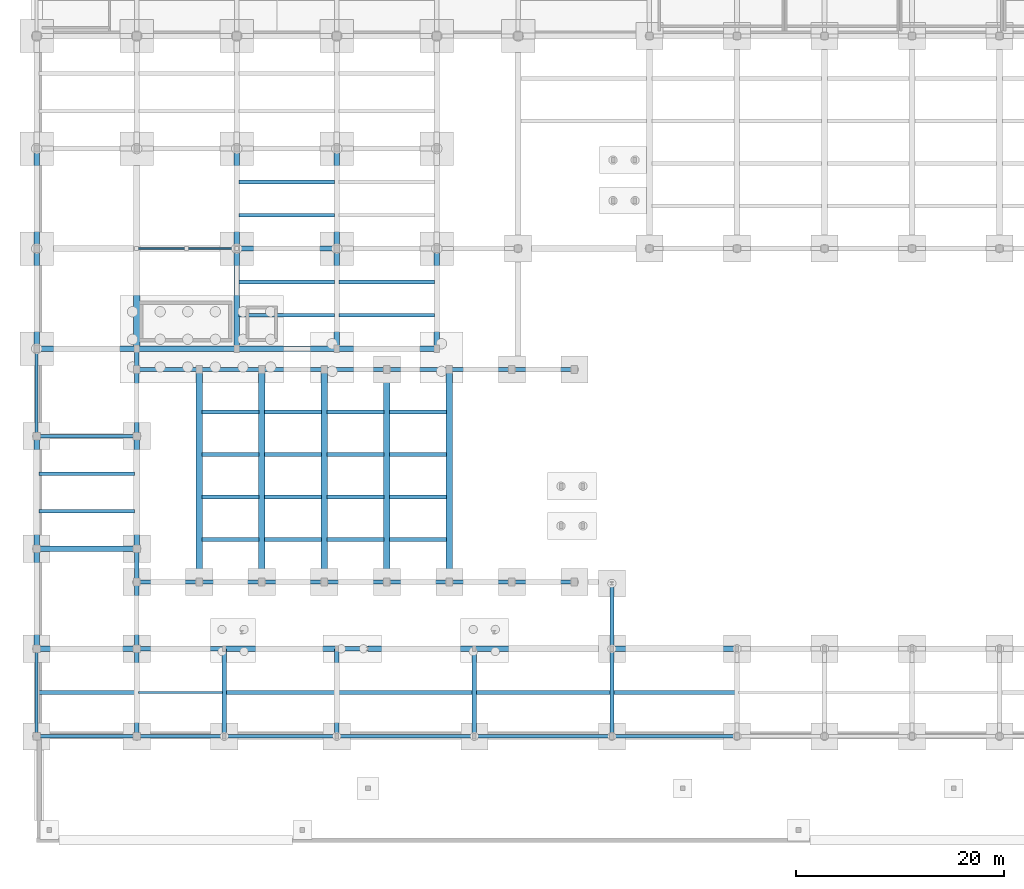
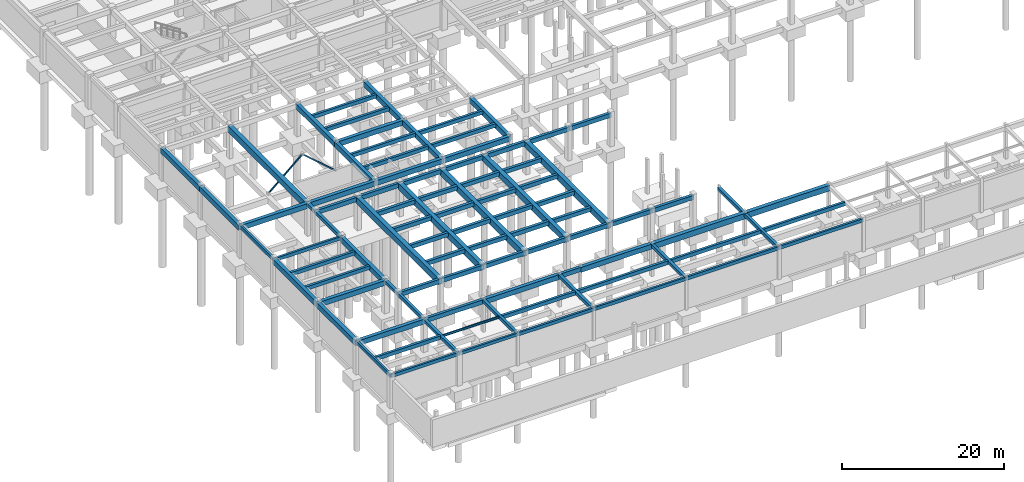
# One storey, part 13 of 37: 92 beams, 2 members.
"""IFC4 building model written with IfcOpenShell, lengths in metres."""

from ifc_helpers import new_model, si_unit, direction, frame, origin, origin_2d, place, context, subcontext, project, spatial, rectangle, hollow_rectangle, i_section, extrude, material, material_profile, profile_set, type_object, element, save


model = new_model("IFC4")

# Units and contexts
model_context = context("Model", 3, precision=1e-05, world=origin(), true_north=direction((0.0, 1.0)))
body_context = subcontext(model_context, "Body", "Model", "MODEL_VIEW")
ifc_project = project(units=[si_unit("LENGTHUNIT", "METRE"), si_unit("AREAUNIT", "SQUARE_METRE"), si_unit("VOLUMEUNIT", "CUBIC_METRE"), si_unit("PLANEANGLEUNIT", "RADIAN"), si_unit("MASSUNIT", "GRAM", prefix="KILO")], contexts=[model_context])

# Site, building, storey
site_placement = place(None, origin())
site = spatial("IfcSite", under=ifc_project, at=site_placement, CompositionType="ELEMENT")
building_placement = place(site_placement, origin())
building = spatial("IfcBuilding", under=site, at=building_placement, Name="Tarnavel Promenade Courthouse", CompositionType="ELEMENT")
storey_placement = place(building_placement, frame((0.0, 0.0, -4.800048828125)))
storey = spatial("IfcBuildingStorey", under=building, at=storey_placement, Name="B01", CompositionType="ELEMENT", Elevation=-4.800048828125)

# Beams
ifc_material_1 = material(Name="Concrete C40/50", Category="concrete")
ifc_material_profile_1 = material_profile(ifc_material_1, rectangle(XDim=0.35009765625, YDim=0.550048828125, at=origin_2d()), Name="PT 350x550")
ifc_profile_set_1 = profile_set([ifc_material_profile_1], Name="Concrete C40/50")
beam_type_1 = type_object("IfcBeamType", Name="Concrete C40/50 BM-PT-350x550 (PT 350x550)", PredefinedType="JOIST", material=ifc_profile_set_1)
beam_1_placement = place(storey_placement, frame((0.1201171875, 4.199951171875, 4.239990234375), z_axis=(1.0, 0.0, 0.0), x_axis=(0.0, 1.0, 0.0)))
element("IfcBeam", 1, at=beam_1_placement, inside=storey, type_object=beam_type_1, Name="B01 Secondary Floor Rib 0354", PredefinedType="JOIST", context=body_context, shape_type="SweptSolid", body=[
    extrude(rectangle(XDim=0.35009765625, YDim=0.550048828125, at=origin_2d()), origin(), (0.0, 0.0, 1.0), 9.309814453125),
])
beam_2_placement = place(storey_placement, frame((18.169921875, 4.199951171875, 4.195068359375), z_axis=(1.0, 0.0, 0.0), x_axis=(0.0, 1.0, 0.0)))
element("IfcBeam", 2, at=beam_2_placement, inside=storey, type_object=beam_type_1, Name="B01 Secondary Floor Rib 0356", PredefinedType="JOIST", context=body_context, shape_type="SweptSolid", body=[
    extrude(rectangle(XDim=0.35009765625, YDim=0.550048828125, at=origin_2d()), origin(), (0.0, 0.0, 1.0), 10.4599609375),
])
for number, where, z_axis, x_axis, name in (
    (3, (28.969970703125, 4.199951171875, 4.195068359375), (1.0, 0.0, 0.0), (0.0, 1.0, 0.0), "B01 Secondary Floor Rib 0357"),
    (4, (42.169921875, 4.199951171875, 4.195068359375), (1.0, 0.0, 0.0), (0.0, 1.0, 0.0), "B01 Secondary Floor Rib 0358"),
):
    element("IfcBeam", number, at=place(storey_placement, frame(where, z_axis=z_axis, x_axis=x_axis)), inside=storey, type_object=beam_type_1, Name=name, PredefinedType="JOIST", context=body_context, shape_type="SweptSolid", body=[
        extrude(rectangle(XDim=0.35009765625, YDim=0.550048828125, at=origin_2d()), origin(), (0.0, 0.0, 1.0), 12.860107421875),
    ])
beam_3_placement = place(storey_placement, frame((55.3701171875, 4.199951171875, 4.195068359375), z_axis=(1.0, 0.0, 0.0), x_axis=(0.0, 1.0, 0.0)))
element("IfcBeam", 5, at=beam_3_placement, inside=storey, type_object=beam_type_1, Name="B01 Secondary Floor Rib 0359", PredefinedType="JOIST", context=body_context, shape_type="SweptSolid", body=[
    extrude(rectangle(XDim=0.35009765625, YDim=0.550048828125, at=origin_2d()), origin(), (0.0, 0.0, 1.0), 11.659912109375),
])
for number, where, z_axis, x_axis, name in (
    (6, (0.219970703125, 21.60009765625, 4.239990234375), (1.0, 0.0, 0.0), (0.0, 1.0, 0.0), "B01 Secondary Floor Rib 0372"),
    (7, (0.219970703125, 25.199951171875, 4.239990234375), (1.0, 0.0, 0.0), (0.0, 1.0, 0.0), "B01 Secondary Floor Rib 0373"),
):
    element("IfcBeam", number, at=place(storey_placement, frame(where, z_axis=z_axis, x_axis=x_axis)), inside=storey, type_object=beam_type_1, Name=name, PredefinedType="JOIST", context=body_context, shape_type="SweptSolid", body=[
        extrude(rectangle(XDim=0.35009765625, YDim=0.550048828125, at=origin_2d()), origin(), (0.0, 0.0, 1.0), 9.159912109375),
    ])
for number, where, z_axis, x_axis, name in (
    (8, (19.419921875, 40.39990234375, 4.179931640625), (1.0, 0.0, 0.0), (0.0, 1.0, 0.0), "B01 Secondary Floor Rib 0381"),
    (9, (19.419921875, 43.60009765625, 4.179931640625), (1.0, 0.0, 0.0), (0.0, 1.0, 0.0), "B01 Secondary Floor Rib 0382"),
):
    element("IfcBeam", number, at=place(storey_placement, frame(where, z_axis=z_axis, x_axis=x_axis)), inside=storey, type_object=beam_type_1, Name=name, PredefinedType="JOIST", context=body_context, shape_type="SweptSolid", body=[
        extrude(rectangle(XDim=0.35009765625, YDim=0.550048828125, at=origin_2d()), origin(), (0.0, 0.0, 1.0), 9.16015625),
    ])
for number, where, z_axis, x_axis, name in (
    (10, (29.02001953125, 40.39990234375, 4.179931640625), (1.0, 0.0, 0.0), (0.0, 1.0, 0.0), "B01 Secondary Floor Rib 0383"),
    (11, (29.02001953125, 43.60009765625, 4.179931640625), (1.0, 0.0, 0.0), (0.0, 1.0, 0.0), "B01 Secondary Floor Rib 0384"),
):
    element("IfcBeam", number, at=place(storey_placement, frame(where, z_axis=z_axis, x_axis=x_axis)), inside=storey, type_object=beam_type_1, Name=name, PredefinedType="JOIST", context=body_context, shape_type="SweptSolid", body=[
        extrude(rectangle(XDim=0.35009765625, YDim=0.550048828125, at=origin_2d()), origin(), (0.0, 0.0, 1.0), 9.159912109375),
    ])
for number, where, z_axis, x_axis, name in (
    (12, (19.419921875, 50.0, 4.179931640625), (1.0, 0.0, 0.0), (0.0, 1.0, 0.0), "B01 Secondary Floor Rib 0385"),
    (13, (19.419921875, 53.199951171875, 4.179931640625), (1.0, 0.0, 0.0), (0.0, 1.0, 0.0), "B01 Secondary Floor Rib 0386"),
):
    element("IfcBeam", number, at=place(storey_placement, frame(where, z_axis=z_axis, x_axis=x_axis)), inside=storey, type_object=beam_type_1, Name=name, PredefinedType="JOIST", context=body_context, shape_type="SweptSolid", body=[
        extrude(rectangle(XDim=0.35009765625, YDim=0.550048828125, at=origin_2d()), origin(), (0.0, 0.0, 1.0), 9.16015625),
    ])
ifc_material_profile_2 = material_profile(ifc_material_1, rectangle(XDim=0.39990234375, YDim=0.60009765625, at=origin_2d()), Name="PT 400x600")
ifc_profile_set_2 = profile_set([ifc_material_profile_2], Name="Concrete C40/50")
beam_type_2 = type_object("IfcBeamType", Name="Concrete C40/50 BM-PT-400x600 (PT 400x600)", PredefinedType="JOIST", material=ifc_profile_set_2)
for number, where, z_axis, x_axis, name in (
    (14, (15.8701171875, 18.8798828125, 4.215087890625), (1.0, 0.0, 0.0), (0.0, 1.0, 0.0), "B01 Secondary Floor Rib 0454"),
    (15, (15.8701171875, 22.9599609375, 4.215087890625), (1.0, 0.0, 0.0), (0.0, 1.0, 0.0), "B01 Secondary Floor Rib 0455"),
    (16, (15.8701171875, 27.0400390625, 4.215087890625), (1.0, 0.0, 0.0), (0.0, 1.0, 0.0), "B01 Secondary Floor Rib 0456"),
    (17, (15.8701171875, 31.1201171875, 4.215087890625), (1.0, 0.0, 0.0), (0.0, 1.0, 0.0), "B01 Secondary Floor Rib 0457"),
    (18, (21.8701171875, 18.8798828125, 4.215087890625), (1.0, 0.0, 0.0), (0.0, 1.0, 0.0), "B01 Secondary Floor Rib 0458"),
    (19, (21.8701171875, 22.9599609375, 4.215087890625), (1.0, 0.0, 0.0), (0.0, 1.0, 0.0), "B01 Secondary Floor Rib 0459"),
    (20, (21.8701171875, 27.0400390625, 4.215087890625), (1.0, 0.0, 0.0), (0.0, 1.0, 0.0), "B01 Secondary Floor Rib 0460"),
    (21, (21.8701171875, 31.1201171875, 4.215087890625), (1.0, 0.0, 0.0), (0.0, 1.0, 0.0), "B01 Secondary Floor Rib 0461"),
    (22, (27.8701171875, 18.8798828125, 4.215087890625), (1.0, 0.0, 0.0), (0.0, 1.0, 0.0), "B01 Secondary Floor Rib 0462"),
    (23, (27.8701171875, 22.9599609375, 4.215087890625), (1.0, 0.0, 0.0), (0.0, 1.0, 0.0), "B01 Secondary Floor Rib 0463"),
    (24, (27.8701171875, 27.0400390625, 4.215087890625), (1.0, 0.0, 0.0), (0.0, 1.0, 0.0), "B01 Secondary Floor Rib 0464"),
    (25, (27.8701171875, 31.1201171875, 4.215087890625), (1.0, 0.0, 0.0), (0.0, 1.0, 0.0), "B01 Secondary Floor Rib 0465"),
    (26, (33.8701171875, 18.8798828125, 4.215087890625), (1.0, 0.0, 0.0), (0.0, 1.0, 0.0), "B01 Secondary Floor Rib 0466"),
    (27, (33.8701171875, 22.9599609375, 4.215087890625), (1.0, 0.0, 0.0), (0.0, 1.0, 0.0), "B01 Secondary Floor Rib 0467"),
    (28, (33.8701171875, 27.0400390625, 4.215087890625), (1.0, 0.0, 0.0), (0.0, 1.0, 0.0), "B01 Secondary Floor Rib 0468"),
    (29, (33.8701171875, 31.1201171875, 4.215087890625), (1.0, 0.0, 0.0), (0.0, 1.0, 0.0), "B01 Secondary Floor Rib 0469"),
):
    element("IfcBeam", number, at=place(storey_placement, frame(where, z_axis=z_axis, x_axis=x_axis)), inside=storey, type_object=beam_type_2, Name=name, PredefinedType="JOIST", context=body_context, shape_type="SweptSolid", body=[
        extrude(rectangle(XDim=0.39990234375, YDim=0.60009765625, at=origin_2d()), origin(), (0.0, 0.0, 1.0), 5.4599609375),
    ])
ifc_material_profile_3 = material_profile(ifc_material_1, rectangle(XDim=0.5, YDim=0.800048828125, at=origin_2d()), Name="PT 500x800")
ifc_profile_set_3 = profile_set([ifc_material_profile_3], Name="Concrete C40/50")
beam_type_3 = type_object("IfcBeamType", Name="Concrete C40/50 BM-PT-500x800 (PT 500x800)", PredefinedType="T_BEAM", material=ifc_profile_set_3)
beam_4_placement = place(storey_placement, frame((0.0, 8.39990234375, 4.114990234375), z_axis=(0.0, 1.0, 0.0), x_axis=(-1.0, 0.0, 0.0)))
element("IfcBeam", 30, at=beam_4_placement, inside=storey, type_object=beam_type_3, Name="B01 Transverse Girder 0188", PredefinedType="T_BEAM", context=body_context, shape_type="SweptSolid", body=[
    extrude(rectangle(XDim=0.5, YDim=0.800048828125, at=origin_2d()), origin(), (0.0, 0.0, 1.0), 9.60009765625),
])
beam_5_placement = place(storey_placement, frame((0.0, 18.0, 4.114990234375), z_axis=(0.0, 1.0, 0.0), x_axis=(-1.0, 0.0, 0.0)))
element("IfcBeam", 31, at=beam_5_placement, inside=storey, type_object=beam_type_3, Name="B01 Transverse Girder 0189", PredefinedType="T_BEAM", context=body_context, shape_type="SweptSolid", body=[
    extrude(rectangle(XDim=0.5, YDim=0.800048828125, at=origin_2d()), origin(), (0.0, 0.0, 1.0), 10.800048828125),
])
beam_6_placement = place(storey_placement, frame((0.0, 37.199951171875, 4.054931640625), z_axis=(0.0, 1.0, 0.0), x_axis=(-1.0, 0.0, 0.0)))
element("IfcBeam", 32, at=beam_6_placement, inside=storey, type_object=beam_type_3, Name="B01 Transverse Girder 0191", PredefinedType="T_BEAM", context=body_context, shape_type="SweptSolid", body=[
    extrude(rectangle(XDim=0.5, YDim=0.800048828125, at=origin_2d()), origin(), (0.0, 0.0, 1.0), 9.60009765625),
])
beam_7_placement = place(storey_placement, frame((0.0, 46.800048828125, 4.054931640625), z_axis=(0.0, 1.0, 0.0), x_axis=(-1.0, 0.0, 0.0)))
element("IfcBeam", 33, at=beam_7_placement, inside=storey, type_object=beam_type_3, Name="B01 Transverse Girder 0192", PredefinedType="T_BEAM", context=body_context, shape_type="SweptSolid", body=[
    extrude(rectangle(XDim=0.5, YDim=0.800048828125, at=origin_2d()), origin(), (0.0, 0.0, 1.0), 9.599853515625),
])
beam_8_placement = place(storey_placement, frame((9.60009765625, 18.0, 4.114990234375), z_axis=(0.0, 1.0, 0.0), x_axis=(-1.0, 0.0, 0.0)))
element("IfcBeam", 34, at=beam_8_placement, inside=storey, type_object=beam_type_3, Name="B01 Transverse Girder 0201", PredefinedType="T_BEAM", context=body_context, shape_type="SweptSolid", body=[
    extrude(rectangle(XDim=0.5, YDim=0.800048828125, at=origin_2d()), origin(), (0.0, 0.0, 1.0), 10.800048828125),
])
beam_9_placement = place(storey_placement, frame((19.199951171875, 37.199951171875, 4.054931640625), z_axis=(0.0, 1.0, 0.0), x_axis=(-1.0, 0.0, 0.0)))
element("IfcBeam", 35, at=beam_9_placement, inside=storey, type_object=beam_type_3, Name="B01 Transverse Girder 0212", PredefinedType="T_BEAM", context=body_context, shape_type="SweptSolid", body=[
    extrude(rectangle(XDim=0.5, YDim=0.800048828125, at=origin_2d()), origin(), (0.0, 0.0, 1.0), 9.60009765625),
])
beam_10_placement = place(storey_placement, frame((19.199951171875, 46.800048828125, 4.054931640625), z_axis=(0.0, 1.0, 0.0), x_axis=(-1.0, 0.0, 0.0)))
element("IfcBeam", 36, at=beam_10_placement, inside=storey, type_object=beam_type_3, Name="B01 Transverse Girder 0213", PredefinedType="T_BEAM", context=body_context, shape_type="SweptSolid", body=[
    extrude(rectangle(XDim=0.5, YDim=0.800048828125, at=origin_2d()), origin(), (0.0, 0.0, 1.0), 9.599853515625),
])
beam_11_placement = place(storey_placement, frame((28.800048828125, 37.199951171875, 4.054931640625), z_axis=(0.0, 1.0, 0.0), x_axis=(-1.0, 0.0, 0.0)))
element("IfcBeam", 37, at=beam_11_placement, inside=storey, type_object=beam_type_3, Name="B01 Transverse Girder 0222", PredefinedType="T_BEAM", context=body_context, shape_type="SweptSolid", body=[
    extrude(rectangle(XDim=0.5, YDim=0.800048828125, at=origin_2d()), origin(), (0.0, 0.0, 1.0), 9.60009765625),
])
beam_12_placement = place(storey_placement, frame((28.800048828125, 46.800048828125, 4.054931640625), z_axis=(0.0, 1.0, 0.0), x_axis=(-1.0, 0.0, 0.0)))
element("IfcBeam", 38, at=beam_12_placement, inside=storey, type_object=beam_type_3, Name="B01 Transverse Girder 0223", PredefinedType="T_BEAM", context=body_context, shape_type="SweptSolid", body=[
    extrude(rectangle(XDim=0.5, YDim=0.800048828125, at=origin_2d()), origin(), (0.0, 0.0, 1.0), 9.599853515625),
])
beam_13_placement = place(storey_placement, frame((38.39990234375, 37.199951171875, 4.054931640625), z_axis=(0.0, 1.0, 0.0), x_axis=(-1.0, 0.0, 0.0)))
element("IfcBeam", 39, at=beam_13_placement, inside=storey, type_object=beam_type_3, Name="B01 Transverse Girder 0230", PredefinedType="T_BEAM", context=body_context, shape_type="SweptSolid", body=[
    extrude(rectangle(XDim=0.5, YDim=0.800048828125, at=origin_2d()), origin(), (0.0, 0.0, 1.0), 9.60009765625),
])
ifc_material_profile_4 = material_profile(ifc_material_1, rectangle(XDim=0.550048828125, YDim=0.85009765625, at=origin_2d()), Name="PT 550x850")
ifc_profile_set_4 = profile_set([ifc_material_profile_4], Name="Concrete C40/50")
beam_type_4 = type_object("IfcBeamType", Name="Concrete C40/50 BM-PT-550x850 (PT 550x850)", PredefinedType="T_BEAM", material=ifc_profile_set_4)
beam_14_placement = place(storey_placement, frame((42.0, 8.39990234375, 4.045166015625), z_axis=(1.0, 0.0, 0.0), x_axis=(0.0, 1.0, 0.0)))
element("IfcBeam", 40, at=beam_14_placement, inside=storey, type_object=beam_type_4, Name="B01 Primary Longitudinal Beam 0021", PredefinedType="T_BEAM", context=body_context, shape_type="SweptSolid", body=[
    extrude(rectangle(XDim=0.550048828125, YDim=0.85009765625, at=origin_2d()), origin(), (0.0, 0.0, 1.0), 13.199951171875),
])
beam_15_placement = place(storey_placement, frame((55.199951171875, 8.39990234375, 4.045166015625), z_axis=(1.0, 0.0, 0.0), x_axis=(0.0, 1.0, 0.0)))
element("IfcBeam", 41, at=beam_15_placement, inside=storey, type_object=beam_type_4, Name="B01 Primary Longitudinal Beam 0022", PredefinedType="T_BEAM", context=body_context, shape_type="SweptSolid", body=[
    extrude(rectangle(XDim=0.550048828125, YDim=0.85009765625, at=origin_2d()), origin(), (0.0, 0.0, 1.0), 12.0),
])
ifc_material_profile_5 = material_profile(ifc_material_1, rectangle(XDim=0.60009765625, YDim=0.949951171875, at=origin_2d()), Name="PT 600x950")
ifc_profile_set_5 = profile_set([ifc_material_profile_5], Name="Concrete C40/50")
beam_type_5 = type_object("IfcBeamType", Name="Concrete C40/50 BM-PT-600x950 (PT 600x950)", PredefinedType="T_BEAM", material=ifc_profile_set_5)
beam_16_placement = place(storey_placement, frame((9.60009765625, 37.199951171875, 3.97998046875), z_axis=(0.0, 1.0, 0.0), x_axis=(-1.0, 0.0, 0.0)))
element("IfcBeam", 42, at=beam_16_placement, inside=storey, type_object=beam_type_5, Name="B01 Transverse Girder 0204", PredefinedType="T_BEAM", context=body_context, shape_type="SweptSolid", body=[
    extrude(rectangle(XDim=0.60009765625, YDim=0.949951171875, at=origin_2d()), origin(), (0.0, 0.0, 1.0), 19.199951171875),
])
for number, where, z_axis, x_axis, name in (
    (43, (15.60009765625, 14.800048828125, 4.0400390625), (0.0, 1.0, 0.0), (-1.0, 0.0, 0.0), "B01 Transverse Girder 0210"),
    (44, (21.60009765625, 14.800048828125, 4.0400390625), (0.0, 1.0, 0.0), (-1.0, 0.0, 0.0), "B01 Transverse Girder 0219"),
    (45, (27.60009765625, 14.800048828125, 4.0400390625), (0.0, 1.0, 0.0), (-1.0, 0.0, 0.0), "B01 Transverse Girder 0220"),
    (46, (33.60009765625, 14.800048828125, 4.0400390625), (0.0, 1.0, 0.0), (-1.0, 0.0, 0.0), "B01 Transverse Girder 0229"),
    (47, (39.60009765625, 14.800048828125, 4.0400390625), (0.0, 1.0, 0.0), (-1.0, 0.0, 0.0), "B01 Transverse Girder 0237"),
):
    element("IfcBeam", number, at=place(storey_placement, frame(where, z_axis=z_axis, x_axis=x_axis)), inside=storey, type_object=beam_type_5, Name=name, PredefinedType="T_BEAM", context=body_context, shape_type="SweptSolid", body=[
        extrude(rectangle(XDim=0.60009765625, YDim=0.949951171875, at=origin_2d()), origin(), (0.0, 0.0, 1.0), 20.39990234375),
    ])
ifc_material_profile_6 = material_profile(ifc_material_1, rectangle(XDim=0.39990234375, YDim=0.5, at=origin_2d()), Name="RC 400x500")
ifc_profile_set_6 = profile_set([ifc_material_profile_6], Name="Concrete C40/50")
beam_type_6 = type_object("IfcBeamType", Name="Concrete C40/50 BM-RC-400x500 (RC 400x500)", PredefinedType="BEAM", material=ifc_profile_set_6)
beam_17_placement = place(storey_placement, frame((9.60009765625, 0.0, 4.219970703125), z_axis=(0.0, 1.0, 0.0), x_axis=(-1.0, 0.0, 0.0)))
element("IfcBeam", 48, at=beam_17_placement, inside=storey, type_object=beam_type_6, Name="B01 Transverse Girder 0198", PredefinedType="BEAM", context=body_context, shape_type="SweptSolid", body=[
    extrude(rectangle(XDim=0.39990234375, YDim=0.5, at=origin_2d()), origin(), (0.0, 0.0, 1.0), 8.39990234375),
])
beam_18_placement = place(storey_placement, frame((9.60009765625, 8.39990234375, 4.26513671875), z_axis=(0.0, 1.0, 0.0), x_axis=(-1.0, 0.0, 0.0)))
element("IfcBeam", 49, at=beam_18_placement, inside=storey, type_object=beam_type_6, Name="B01 Transverse Girder 0199", PredefinedType="BEAM", context=body_context, shape_type="SweptSolid", body=[
    extrude(rectangle(XDim=0.39990234375, YDim=0.5, at=origin_2d()), origin(), (0.0, 0.0, 1.0), 6.400146484375),
])
beam_19_placement = place(storey_placement, frame((9.60009765625, 14.800048828125, 4.26513671875), z_axis=(0.0, 1.0, 0.0), x_axis=(-1.0, 0.0, 0.0)))
element("IfcBeam", 50, at=beam_19_placement, inside=storey, type_object=beam_type_6, Name="B01 Transverse Girder 0200", PredefinedType="BEAM", context=body_context, shape_type="SweptSolid", body=[
    extrude(rectangle(XDim=0.39990234375, YDim=0.5, at=origin_2d()), origin(), (0.0, 0.0, 1.0), 3.199951171875),
])
beam_20_placement = place(storey_placement, frame((9.60009765625, 28.800048828125, 4.26513671875), z_axis=(0.0, 1.0, 0.0), x_axis=(-1.0, 0.0, 0.0)))
element("IfcBeam", 51, at=beam_20_placement, inside=storey, type_object=beam_type_6, Name="B01 Transverse Girder 0202", PredefinedType="BEAM", context=body_context, shape_type="SweptSolid", body=[
    extrude(rectangle(XDim=0.39990234375, YDim=0.5, at=origin_2d()), origin(), (0.0, 0.0, 1.0), 6.39990234375),
])
beam_21_placement = place(storey_placement, frame((9.60009765625, 35.199951171875, 4.26513671875), z_axis=(0.0, 1.0, 0.0), x_axis=(-1.0, 0.0, 0.0)))
element("IfcBeam", 52, at=beam_21_placement, inside=storey, type_object=beam_type_6, Name="B01 Transverse Girder 0203", PredefinedType="BEAM", context=body_context, shape_type="SweptSolid", body=[
    extrude(rectangle(XDim=0.39990234375, YDim=0.5, at=origin_2d()), origin(), (0.0, 0.0, 1.0), 2.0),
])
for number, where, z_axis, x_axis, name in (
    (53, (18.0, 0.0, 4.219970703125), (0.0, 1.0, 0.0), (-1.0, 0.0, 0.0), "B01 Transverse Girder 0211"),
    (54, (28.800048828125, 0.0, 4.219970703125), (0.0, 1.0, 0.0), (-1.0, 0.0, 0.0), "B01 Transverse Girder 0221"),
    (55, (42.0, 0.0, 4.219970703125), (0.0, 1.0, 0.0), (-1.0, 0.0, 0.0), "B01 Transverse Girder 0238"),
    (56, (55.199951171875, 0.0, 4.219970703125), (0.0, 1.0, 0.0), (-1.0, 0.0, 0.0), "B01 Transverse Girder 0247"),
):
    element("IfcBeam", number, at=place(storey_placement, frame(where, z_axis=z_axis, x_axis=x_axis)), inside=storey, type_object=beam_type_6, Name=name, PredefinedType="BEAM", context=body_context, shape_type="SweptSolid", body=[
        extrude(rectangle(XDim=0.39990234375, YDim=0.5, at=origin_2d()), origin(), (0.0, 0.0, 1.0), 8.39990234375),
    ])
beam_22_placement = place(storey_placement, frame((55.199951171875, 8.39990234375, 4.219970703125), z_axis=(0.0, 1.0, 0.0), x_axis=(-1.0, 0.0, 0.0)))
element("IfcBeam", 57, at=beam_22_placement, inside=storey, type_object=beam_type_6, Name="B01 Transverse Girder 0248", PredefinedType="BEAM", context=body_context, shape_type="SweptSolid", body=[
    extrude(rectangle(XDim=0.39990234375, YDim=0.5, at=origin_2d()), origin(), (0.0, 0.0, 1.0), 6.27001953125),
])
ifc_material_profile_7 = material_profile(ifc_material_1, rectangle(XDim=0.39990234375, YDim=0.64990234375, at=origin_2d()), Name="RC 400x650")
ifc_profile_set_7 = profile_set([ifc_material_profile_7], Name="Concrete C40/50")
beam_type_7 = type_object("IfcBeamType", Name="Concrete C40/50 BM-RC-400x650 (RC 400x650)", PredefinedType="BEAM", material=ifc_profile_set_7)
beam_23_placement = place(storey_placement, frame((9.60009765625, 8.39990234375, 4.14501953125), z_axis=(1.0, 0.0, 0.0), x_axis=(0.0, 1.0, 0.0)))
element("IfcBeam", 58, at=beam_23_placement, inside=storey, type_object=beam_type_7, Name="B01 Primary Longitudinal Beam 0017", PredefinedType="BEAM", context=body_context, shape_type="SweptSolid", body=[
    extrude(rectangle(XDim=0.39990234375, YDim=0.64990234375, at=origin_2d()), origin(), (0.0, 0.0, 1.0), 8.39990234375),
])
beam_24_placement = place(storey_placement, frame((28.800048828125, 8.39990234375, 4.14501953125), z_axis=(1.0, 0.0, 0.0), x_axis=(0.0, 1.0, 0.0)))
element("IfcBeam", 59, at=beam_24_placement, inside=storey, type_object=beam_type_7, Name="B01 Primary Longitudinal Beam 0019", PredefinedType="BEAM", context=body_context, shape_type="SweptSolid", body=[
    extrude(rectangle(XDim=0.39990234375, YDim=0.64990234375, at=origin_2d()), origin(), (0.0, 0.0, 1.0), 3.0),
])
for number, where, z_axis, x_axis, name in (
    (60, (9.60009765625, 14.800048828125, 4.18994140625), (1.0, 0.0, 0.0), (0.0, 1.0, 0.0), "B01 Primary Longitudinal Beam 0032"),
    (61, (15.60009765625, 14.800048828125, 4.18994140625), (1.0, 0.0, 0.0), (0.0, 1.0, 0.0), "B01 Primary Longitudinal Beam 0033"),
    (62, (21.60009765625, 14.800048828125, 4.18994140625), (1.0, 0.0, 0.0), (0.0, 1.0, 0.0), "B01 Primary Longitudinal Beam 0034"),
    (63, (27.60009765625, 14.800048828125, 4.18994140625), (1.0, 0.0, 0.0), (0.0, 1.0, 0.0), "B01 Primary Longitudinal Beam 0035"),
    (64, (33.60009765625, 14.800048828125, 4.18994140625), (1.0, 0.0, 0.0), (0.0, 1.0, 0.0), "B01 Primary Longitudinal Beam 0036"),
    (65, (39.60009765625, 14.800048828125, 4.18994140625), (1.0, 0.0, 0.0), (0.0, 1.0, 0.0), "B01 Primary Longitudinal Beam 0037"),
    (66, (45.60009765625, 14.800048828125, 4.18994140625), (1.0, 0.0, 0.0), (0.0, 1.0, 0.0), "B01 Primary Longitudinal Beam 0038"),
    (67, (9.60009765625, 35.199951171875, 4.18994140625), (1.0, 0.0, 0.0), (0.0, 1.0, 0.0), "B01 Primary Longitudinal Beam 0050"),
    (68, (15.60009765625, 35.199951171875, 4.18994140625), (1.0, 0.0, 0.0), (0.0, 1.0, 0.0), "B01 Primary Longitudinal Beam 0051"),
    (69, (21.60009765625, 35.199951171875, 4.18994140625), (1.0, 0.0, 0.0), (0.0, 1.0, 0.0), "B01 Primary Longitudinal Beam 0052"),
    (70, (27.60009765625, 35.199951171875, 4.18994140625), (1.0, 0.0, 0.0), (0.0, 1.0, 0.0), "B01 Primary Longitudinal Beam 0053"),
    (71, (33.60009765625, 35.199951171875, 4.18994140625), (1.0, 0.0, 0.0), (0.0, 1.0, 0.0), "B01 Primary Longitudinal Beam 0054"),
    (72, (39.60009765625, 35.199951171875, 4.18994140625), (1.0, 0.0, 0.0), (0.0, 1.0, 0.0), "B01 Primary Longitudinal Beam 0055"),
    (73, (45.60009765625, 35.199951171875, 4.18994140625), (1.0, 0.0, 0.0), (0.0, 1.0, 0.0), "B01 Primary Longitudinal Beam 0056"),
):
    element("IfcBeam", number, at=place(storey_placement, frame(where, z_axis=z_axis, x_axis=x_axis)), inside=storey, type_object=beam_type_7, Name=name, PredefinedType="BEAM", context=body_context, shape_type="SweptSolid", body=[
        extrude(rectangle(XDim=0.39990234375, YDim=0.64990234375, at=origin_2d()), origin(), (0.0, 0.0, 1.0), 6.0),
    ])
ifc_material_profile_8 = material_profile(ifc_material_1, rectangle(XDim=0.5, YDim=0.75, at=origin_2d()), Name="RC 500x750")
ifc_profile_set_8 = profile_set([ifc_material_profile_8], Name="Concrete C40/50")
beam_type_8 = type_object("IfcBeamType", Name="Concrete C40/50 BM-RC-500x750 (RC 500x750)", PredefinedType="T_BEAM", material=ifc_profile_set_8)
beam_25_placement = place(storey_placement, frame((0.0, 8.39990234375, 4.14013671875), z_axis=(1.0, 0.0, 0.0), x_axis=(0.0, 1.0, 0.0)))
element("IfcBeam", 74, at=beam_25_placement, inside=storey, type_object=beam_type_8, Name="B01 Primary Longitudinal Beam 0016", PredefinedType="T_BEAM", context=body_context, shape_type="SweptSolid", body=[
    extrude(rectangle(XDim=0.5, YDim=0.75, at=origin_2d()), origin(), (0.0, 0.0, 1.0), 9.60009765625),
])
beam_26_placement = place(storey_placement, frame((18.0, 8.39990234375, 4.094970703125), z_axis=(1.0, 0.0, 0.0), x_axis=(0.0, 1.0, 0.0)))
element("IfcBeam", 75, at=beam_26_placement, inside=storey, type_object=beam_type_8, Name="B01 Primary Longitudinal Beam 0018", PredefinedType="T_BEAM", context=body_context, shape_type="SweptSolid", body=[
    extrude(rectangle(XDim=0.5, YDim=0.75, at=origin_2d()), origin(), (0.0, 0.0, 1.0), 10.800048828125),
])
beam_27_placement = place(storey_placement, frame((31.800048828125, 8.39990234375, 4.094970703125), z_axis=(1.0, 0.0, 0.0), x_axis=(0.0, 1.0, 0.0)))
element("IfcBeam", 76, at=beam_27_placement, inside=storey, type_object=beam_type_8, Name="B01 Primary Longitudinal Beam 0020", PredefinedType="T_BEAM", context=body_context, shape_type="SweptSolid", body=[
    extrude(rectangle(XDim=0.5, YDim=0.75, at=origin_2d()), origin(), (0.0, 0.0, 1.0), 10.199951171875),
])
for number, where, z_axis, x_axis, name in (
    (77, (0.0, 18.0, 4.14013671875), (1.0, 0.0, 0.0), (0.0, 1.0, 0.0), "B01 Primary Longitudinal Beam 0039"),
    (78, (0.0, 37.199951171875, 4.080078125), (1.0, 0.0, 0.0), (0.0, 1.0, 0.0), "B01 Primary Longitudinal Beam 0057"),
):
    element("IfcBeam", number, at=place(storey_placement, frame(where, z_axis=z_axis, x_axis=x_axis)), inside=storey, type_object=beam_type_8, Name=name, PredefinedType="T_BEAM", context=body_context, shape_type="SweptSolid", body=[
        extrude(rectangle(XDim=0.5, YDim=0.75, at=origin_2d()), origin(), (0.0, 0.0, 1.0), 9.60009765625),
    ])
beam_28_placement = place(storey_placement, frame((9.60009765625, 37.199951171875, 4.080078125), z_axis=(1.0, 0.0, 0.0), x_axis=(0.0, 1.0, 0.0)))
element("IfcBeam", 79, at=beam_28_placement, inside=storey, type_object=beam_type_8, Name="B01 Primary Longitudinal Beam 0058", PredefinedType="T_BEAM", context=body_context, shape_type="SweptSolid", body=[
    extrude(rectangle(XDim=0.5, YDim=0.75, at=origin_2d()), origin(), (0.0, 0.0, 1.0), 9.599853515625),
])
beam_29_placement = place(storey_placement, frame((19.199951171875, 37.199951171875, 4.080078125), z_axis=(1.0, 0.0, 0.0), x_axis=(0.0, 1.0, 0.0)))
element("IfcBeam", 80, at=beam_29_placement, inside=storey, type_object=beam_type_8, Name="B01 Primary Longitudinal Beam 0059", PredefinedType="T_BEAM", context=body_context, shape_type="SweptSolid", body=[
    extrude(rectangle(XDim=0.5, YDim=0.75, at=origin_2d()), origin(), (0.0, 0.0, 1.0), 9.60009765625),
])
beam_30_placement = place(storey_placement, frame((28.800048828125, 37.199951171875, 4.080078125), z_axis=(1.0, 0.0, 0.0), x_axis=(0.0, 1.0, 0.0)))
element("IfcBeam", 81, at=beam_30_placement, inside=storey, type_object=beam_type_8, Name="B01 Primary Longitudinal Beam 0060", PredefinedType="T_BEAM", context=body_context, shape_type="SweptSolid", body=[
    extrude(rectangle(XDim=0.5, YDim=0.75, at=origin_2d()), origin(), (0.0, 0.0, 1.0), 9.599853515625),
])
beam_31_placement = place(storey_placement, frame((19.199951171875, 46.800048828125, 4.080078125), z_axis=(1.0, 0.0, 0.0), x_axis=(0.0, 1.0, 0.0)))
element("IfcBeam", 82, at=beam_31_placement, inside=storey, type_object=beam_type_8, Name="B01 Primary Longitudinal Beam 0068", PredefinedType="T_BEAM", context=body_context, shape_type="SweptSolid", body=[
    extrude(rectangle(XDim=0.5, YDim=0.75, at=origin_2d()), origin(), (0.0, 0.0, 1.0), 9.60009765625),
])
ifc_material_profile_9 = material_profile(ifc_material_1, rectangle(XDim=0.300048828125, YDim=0.449951171875, at=origin_2d()), Name="RC 300x450")
ifc_profile_set_9 = profile_set([ifc_material_profile_9], Name="Concrete C40/50")
beam_type_9 = type_object("IfcBeamType", Name="Concrete C40/50 BM-SP-300x450 (RC 300x450)", PredefinedType="SPANDREL", material=ifc_profile_set_9)
beam_32_placement = place(storey_placement, frame((9.60009765625, 0.0, 4.2451171875), z_axis=(1.0, 0.0, 0.0), x_axis=(0.0, 1.0, 0.0)))
element("IfcBeam", 83, at=beam_32_placement, inside=storey, type_object=beam_type_9, Name="B01 Primary Longitudinal Beam 0002", PredefinedType="SPANDREL", context=body_context, shape_type="SweptSolid", body=[
    extrude(rectangle(XDim=0.300048828125, YDim=0.449951171875, at=origin_2d()), origin(), (0.0, 0.0, 1.0), 8.39990234375),
])
ifc_material_profile_10 = material_profile(ifc_material_1, rectangle(XDim=0.300048828125, YDim=0.5, at=origin_2d()), Name="RC 300x500")
ifc_profile_set_10 = profile_set([ifc_material_profile_10], Name="Concrete C40/50")
beam_type_10 = type_object("IfcBeamType", Name="Concrete C40/50 BM-SP-300x500 (RC 300x500)", PredefinedType="SPANDREL", material=ifc_profile_set_10)
beam_33_placement = place(storey_placement, frame((0.0, 0.0, 4.26513671875), z_axis=(1.0, 0.0, 0.0), x_axis=(0.0, 1.0, 0.0)))
element("IfcBeam", 84, at=beam_33_placement, inside=storey, type_object=beam_type_10, Name="B01 Primary Longitudinal Beam 0001", PredefinedType="SPANDREL", context=body_context, shape_type="SweptSolid", body=[
    extrude(rectangle(XDim=0.300048828125, YDim=0.5, at=origin_2d()), origin(), (0.0, 0.0, 1.0), 9.60009765625),
])
beam_34_placement = place(storey_placement, frame((18.0, 0.0, 4.219970703125), z_axis=(1.0, 0.0, 0.0), x_axis=(0.0, 1.0, 0.0)))
element("IfcBeam", 85, at=beam_34_placement, inside=storey, type_object=beam_type_10, Name="B01 Primary Longitudinal Beam 0003", PredefinedType="SPANDREL", context=body_context, shape_type="SweptSolid", body=[
    extrude(rectangle(XDim=0.300048828125, YDim=0.5, at=origin_2d()), origin(), (0.0, 0.0, 1.0), 10.800048828125),
])
for number, where, z_axis, x_axis, name in (
    (86, (28.800048828125, 0.0, 4.219970703125), (1.0, 0.0, 0.0), (0.0, 1.0, 0.0), "B01 Primary Longitudinal Beam 0004"),
    (87, (42.0, 0.0, 4.219970703125), (1.0, 0.0, 0.0), (0.0, 1.0, 0.0), "B01 Primary Longitudinal Beam 0005"),
):
    element("IfcBeam", number, at=place(storey_placement, frame(where, z_axis=z_axis, x_axis=x_axis)), inside=storey, type_object=beam_type_10, Name=name, PredefinedType="SPANDREL", context=body_context, shape_type="SweptSolid", body=[
        extrude(rectangle(XDim=0.300048828125, YDim=0.5, at=origin_2d()), origin(), (0.0, 0.0, 1.0), 13.199951171875),
    ])
beam_35_placement = place(storey_placement, frame((55.199951171875, 0.0, 4.219970703125), z_axis=(1.0, 0.0, 0.0), x_axis=(0.0, 1.0, 0.0)))
element("IfcBeam", 88, at=beam_35_placement, inside=storey, type_object=beam_type_10, Name="B01 Primary Longitudinal Beam 0006", PredefinedType="SPANDREL", context=body_context, shape_type="SweptSolid", body=[
    extrude(rectangle(XDim=0.300048828125, YDim=0.5, at=origin_2d()), origin(), (0.0, 0.0, 1.0), 12.0),
])
beam_36_placement = place(storey_placement, frame((0.0, 28.800048828125, 4.26513671875), z_axis=(1.0, 0.0, 0.0), x_axis=(0.0, 1.0, 0.0)))
element("IfcBeam", 89, at=beam_36_placement, inside=storey, type_object=beam_type_10, Name="B01 Primary Longitudinal Beam 0042", PredefinedType="SPANDREL", context=body_context, shape_type="SweptSolid", body=[
    extrude(rectangle(XDim=0.300048828125, YDim=0.5, at=origin_2d()), origin(), (0.0, 0.0, 1.0), 9.60009765625),
])
for number, where, z_axis, x_axis, name in (
    (90, (0.0, 0.0, 4.26513671875), (0.0, 1.0, 0.0), (-1.0, 0.0, 0.0), "B01 Transverse Girder 0187"),
    (91, (0.0, 28.800048828125, 4.26513671875), (0.0, 1.0, 0.0), (-1.0, 0.0, 0.0), "B01 Transverse Girder 0190"),
):
    element("IfcBeam", number, at=place(storey_placement, frame(where, z_axis=z_axis, x_axis=x_axis)), inside=storey, type_object=beam_type_10, Name=name, PredefinedType="SPANDREL", context=body_context, shape_type="SweptSolid", body=[
        extrude(rectangle(XDim=0.300048828125, YDim=0.5, at=origin_2d()), origin(), (0.0, 0.0, 1.0), 8.39990234375),
    ])
ifc_material_2 = material(Name="Steel S355J2", Category="steel")
ifc_material_profile_11 = material_profile(ifc_material_2, i_section(OverallWidth=0.159912109375, OverallDepth=0.330078125, WebThickness=0.007568359375, FlangeThickness=0.011474609375, FilletRadius=0.01806640625, at=origin_2d()), Name="IPE 330")
ifc_profile_set_11 = profile_set([ifc_material_profile_11], Name="Steel S355J2")
beam_type_11 = type_object("IfcBeamType", Name="Steel S355J2 BM-ST-IPE330 (IPE 330)", PredefinedType="JOIST", material=ifc_profile_set_11)
beam_37_placement = place(storey_placement, frame((9.77001953125, 4.199951171875, 4.304931640625), z_axis=(1.0, 0.0, 0.0), x_axis=(0.0, 1.0, 0.0)))
element("IfcBeam", 92, at=beam_37_placement, inside=storey, type_object=beam_type_11, Name="B01 Secondary Floor Rib 0355", PredefinedType="JOIST", context=body_context, shape_type="SweptSolid", body=[
    extrude(i_section(OverallWidth=0.159912109375, OverallDepth=0.330078125, WebThickness=0.007568359375, FlangeThickness=0.011474609375, FilletRadius=0.01806640625, at=origin_2d()), origin(), (0.0, 0.0, 1.0), 8.06005859375),
])

# Members
ifc_material_profile_12 = material_profile(ifc_material_2, hollow_rectangle(XDim=0.179931640625, YDim=0.179931640625, WallThickness=0.010009765625, InnerFilletRadius=0.010009765625, OuterFilletRadius=0.02001953125, at=origin_2d()), Name="SHS 180x180x10")
ifc_profile_set_12 = profile_set([ifc_material_profile_12], Name="Steel S355J2")
member_type = type_object("IfcMemberType", Name="Steel S355J2 MEM-BR-SHS180 (SHS 180x180x10)", PredefinedType="BRACE", material=ifc_profile_set_12)
for number, where, z_axis, x_axis, name in (
    (93, (9.60009765625, 46.800048828125, 0.0), (0.752168907585, 0.0, 0.65897035932), (0.0, 1.0, 0.0), "B01 V3 Chevron Brace A 042"),
    (94, (19.199951171875, 46.800048828125, 0.0), (-0.752185520463, 0.0, 0.658951396391), (0.0, -1.0, 0.0), "B01 V3 Chevron Brace B 042"),
):
    element("IfcMember", number, at=place(storey_placement, frame(where, z_axis=z_axis, x_axis=x_axis)), inside=storey, type_object=member_type, Name=name, PredefinedType="BRACE", context=body_context, shape_type="SweptSolid", body=[
        extrude(hollow_rectangle(XDim=0.179931640625, YDim=0.179931640625, WallThickness=0.010009765625, InnerFilletRadius=0.010009765625, OuterFilletRadius=0.02001953125, at=origin_2d()), origin(), (0.0, 0.0, 1.0), 6.38134765625),
    ])

save(model, "model.ifc")
